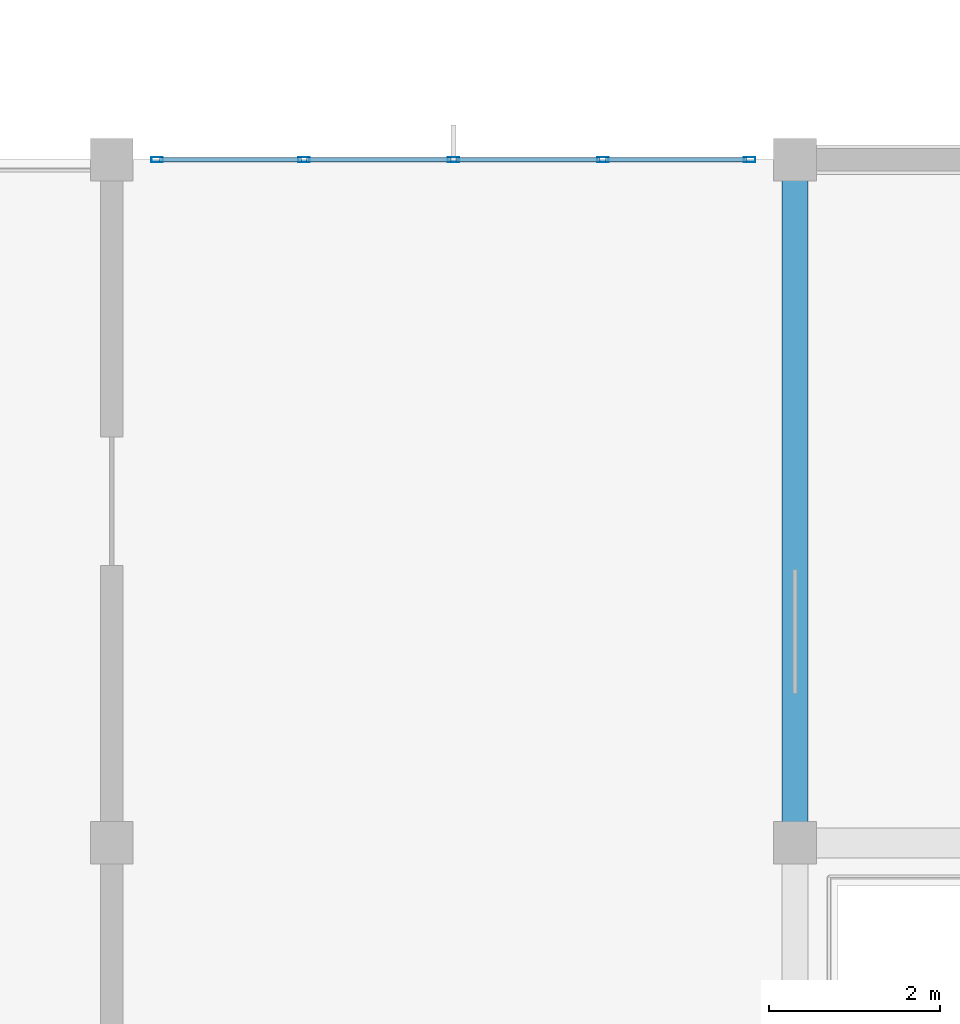
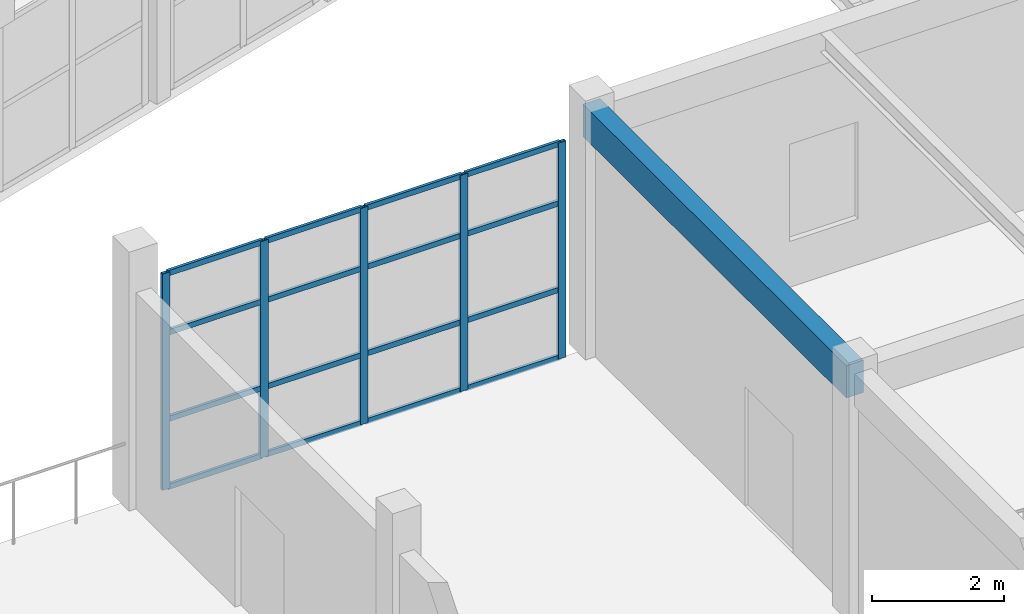
# One storey, part 17 of 248: 21 members, 1 beam, 1 element without a shape of its own.
"""IFC4 building model written with IfcOpenShell, lengths in metres."""

from ifc_helpers import new_model, si_unit, direction, frame, origin, origin_2d, place, context, subcontext, project, spatial, rectangle, hollow_rectangle, extrude, material, layer, layer_set, material_profile, profile_set, type_object, element, aggregate, save


model = new_model("IFC4")

# Units and contexts
model_context = context("Model", 3, precision=1e-05, world=origin(), true_north=direction((0.0, 1.0)))
body_context = subcontext(model_context, "Body", "Model", "MODEL_VIEW")
ifc_project = project(units=[si_unit("LENGTHUNIT", "METRE"), si_unit("AREAUNIT", "SQUARE_METRE"), si_unit("VOLUMEUNIT", "CUBIC_METRE"), si_unit("PLANEANGLEUNIT", "RADIAN"), si_unit("MASSUNIT", "GRAM", prefix="KILO")], contexts=[model_context])

# Site, building, storey
site_placement = place(None, origin())
site = spatial("IfcSite", under=ifc_project, at=site_placement, CompositionType="ELEMENT")
building_placement = place(site_placement, origin())
building = spatial("IfcBuilding", under=site, at=building_placement, Name="Canggui Botanical Conservatory", CompositionType="ELEMENT")
storey_placement = place(building_placement, frame((0.0, 0.0, 5.39990234375)))
storey = spatial("IfcBuildingStorey", under=building, at=storey_placement, Name="L02", CompositionType="ELEMENT", Elevation=5.39990234375)

# Beam
ifc_material_1 = material(Name="Concrete C35", Category="concrete")
ifc_material_profile_1 = material_profile(ifc_material_1, rectangle(XDim=0.300048828125, YDim=0.60009765625, at=origin_2d()), Name="RB 300x600")
ifc_profile_set_1 = profile_set([ifc_material_profile_1], Name="Concrete C35")
beam_type = type_object("IfcBeamType", Name="BM-KL23", PredefinedType="BEAM", material=ifc_profile_set_1)
beam_placement = place(storey_placement, frame((26.0, 26.0, 4.260009765625), z_axis=(0.0, 1.0, 0.0), x_axis=(-1.0, 0.0, 0.0)))
element("IfcBeam", 1, at=beam_placement, inside=storey, type_object=beam_type, Name="Visitor Girder L02 X26-3", PredefinedType="BEAM", context=body_context, shape_type="SweptSolid", body=[
    extrude(rectangle(XDim=0.300048828125, YDim=0.60009765625, at=origin_2d()), origin(), (0.0, 0.0, 1.0), 8.0),
])

# Curtain wall, members
ifc_material_2 = material(Name="Thermally Broken Aluminium", Category="aluminium")
ifc_layer = layer(ifc_material_2, 0.135009765625, Name="Thermally Broken Aluminium", Category="aluminium")
ifc_layer_set = layer_set([ifc_layer], Name="Thermally Broken Aluminium")
curtain_wall_type = type_object("IfcCurtainWallType", Name="CW-STICK-A", PredefinedType="USERDEFINED", material=ifc_layer_set)
curtain_wall_placement = place(storey_placement, origin())
curtain_wall = element("IfcCurtainWall", 2, at=curtain_wall_placement, inside=storey, type_object=curtain_wall_type, Name="Facade Curtain Wall CW-VIS-L02-10", ObjectType="STICK GLAZED WALL", PredefinedType="USERDEFINED")
ifc_material_profile_2 = material_profile(ifc_material_2, hollow_rectangle(XDim=0.06005859375, YDim=0.135009765625, WallThickness=0.00341796875, at=origin_2d()), Name="CWM 60x135x3.5")
ifc_profile_set_2 = profile_set([ifc_material_profile_2], Name="Thermally Broken Aluminium")
member_type_1 = type_object("IfcMemberType", Name="CWM-04", PredefinedType="MULLION", material=ifc_profile_set_2)
member_1_placement = place(storey_placement, frame((18.530029296875, 34.0, 0.0), z_axis=(0.0, 0.0, 1.0), x_axis=(0.0, 1.0, 0.0)))
member_1 = element("IfcMember", 3, at=member_1_placement, type_object=member_type_1, Name="CW-04 mullion 1", PredefinedType="MULLION", context=body_context, shape_type="SweptSolid", body=[
    extrude(hollow_rectangle(XDim=0.06005859375, YDim=0.135009765625, WallThickness=0.00341796875, at=origin_2d()), origin(), (0.0, 0.0, 1.0), 4.010009765625),
])
member_2_placement = place(storey_placement, frame((20.25, 34.0, 0.0), z_axis=(0.0, 0.0, 1.0), x_axis=(0.0, 1.0, 0.0)))
member_2 = element("IfcMember", 4, at=member_2_placement, type_object=member_type_1, Name="CW-04 mullion 2", PredefinedType="MULLION", context=body_context, shape_type="SweptSolid", body=[
    extrude(hollow_rectangle(XDim=0.06005859375, YDim=0.135009765625, WallThickness=0.00341796875, at=origin_2d()), origin(), (0.0, 0.0, 1.0), 4.010009765625),
])
member_3_placement = place(storey_placement, frame((22.0, 34.0, 0.0), z_axis=(0.0, 0.0, 1.0), x_axis=(0.0, 1.0, 0.0)))
member_3 = element("IfcMember", 5, at=member_3_placement, type_object=member_type_1, Name="CW-04 mullion 3", PredefinedType="MULLION", context=body_context, shape_type="SweptSolid", body=[
    extrude(hollow_rectangle(XDim=0.06005859375, YDim=0.135009765625, WallThickness=0.00341796875, at=origin_2d()), origin(), (0.0, 0.0, 1.0), 4.010009765625),
])
member_4_placement = place(storey_placement, frame((23.75, 34.0, 0.0), z_axis=(0.0, 0.0, 1.0), x_axis=(0.0, 1.0, 0.0)))
member_4 = element("IfcMember", 6, at=member_4_placement, type_object=member_type_1, Name="CW-04 mullion 4", PredefinedType="MULLION", context=body_context, shape_type="SweptSolid", body=[
    extrude(hollow_rectangle(XDim=0.06005859375, YDim=0.135009765625, WallThickness=0.00341796875, at=origin_2d()), origin(), (0.0, 0.0, 1.0), 4.010009765625),
])
member_5_placement = place(storey_placement, frame((25.469970703125, 34.0, 0.0), z_axis=(0.0, 0.0, 1.0), x_axis=(0.0, 1.0, 0.0)))
member_5 = element("IfcMember", 7, at=member_5_placement, type_object=member_type_1, Name="CW-04 mullion 5", PredefinedType="MULLION", context=body_context, shape_type="SweptSolid", body=[
    extrude(hollow_rectangle(XDim=0.06005859375, YDim=0.135009765625, WallThickness=0.00341796875, at=origin_2d()), origin(), (0.0, 0.0, 1.0), 4.010009765625),
])
ifc_material_profile_3 = material_profile(ifc_material_2, hollow_rectangle(XDim=0.050048828125, YDim=0.10009765625, WallThickness=0.0029296875, at=origin_2d()), Name="CWT 50x100x3")
ifc_profile_set_3 = profile_set([ifc_material_profile_3], Name="Thermally Broken Aluminium")
member_type_2 = type_object("IfcMemberType", Name="CWT-04", PredefinedType="USERDEFINED", material=ifc_profile_set_3)
member_6_placement = place(storey_placement, frame((18.56005859375, 34.0, 0.025146484375), z_axis=(1.0, 0.0, 0.0), x_axis=(0.0, 1.0, 0.0)))
member_6 = element("IfcMember", 8, at=member_6_placement, type_object=member_type_2, Name="CW-04 transom 1.1", ObjectType="TRANSOM", PredefinedType="USERDEFINED", context=body_context, shape_type="SweptSolid", body=[
    extrude(hollow_rectangle(XDim=0.050048828125, YDim=0.10009765625, WallThickness=0.0029296875, at=origin_2d()), origin(), (0.0, 0.0, 1.0), 1.659912109375),
])
member_7_placement = place(storey_placement, frame((18.56005859375, 34.0, 1.283203125), z_axis=(1.0, 0.0, 0.0), x_axis=(0.0, 1.0, 0.0)))
member_7 = element("IfcMember", 9, at=member_7_placement, type_object=member_type_2, Name="CW-04 transom 1.2", ObjectType="TRANSOM", PredefinedType="USERDEFINED", context=body_context, shape_type="SweptSolid", body=[
    extrude(hollow_rectangle(XDim=0.050048828125, YDim=0.10009765625, WallThickness=0.0029296875, at=origin_2d()), origin(), (0.0, 0.0, 1.0), 1.659912109375),
])
member_8_placement = place(storey_placement, frame((18.56005859375, 34.0, 2.88720703125), z_axis=(1.0, 0.0, 0.0), x_axis=(0.0, 1.0, 0.0)))
member_8 = element("IfcMember", 10, at=member_8_placement, type_object=member_type_2, Name="CW-04 transom 1.3", ObjectType="TRANSOM", PredefinedType="USERDEFINED", context=body_context, shape_type="SweptSolid", body=[
    extrude(hollow_rectangle(XDim=0.050048828125, YDim=0.10009765625, WallThickness=0.0029296875, at=origin_2d()), origin(), (0.0, 0.0, 1.0), 1.659912109375),
])
member_9_placement = place(storey_placement, frame((18.56005859375, 34.0, 3.985107421875), z_axis=(1.0, 0.0, 0.0), x_axis=(0.0, 1.0, 0.0)))
member_9 = element("IfcMember", 11, at=member_9_placement, type_object=member_type_2, Name="CW-04 transom 1.4", ObjectType="TRANSOM", PredefinedType="USERDEFINED", context=body_context, shape_type="SweptSolid", body=[
    extrude(hollow_rectangle(XDim=0.050048828125, YDim=0.10009765625, WallThickness=0.0029296875, at=origin_2d()), origin(), (0.0, 0.0, 1.0), 1.659912109375),
])
member_10_placement = place(storey_placement, frame((20.280029296875, 34.0, 0.025146484375), z_axis=(1.0, 0.0, 0.0), x_axis=(0.0, 1.0, 0.0)))
member_10 = element("IfcMember", 12, at=member_10_placement, type_object=member_type_2, Name="CW-04 transom 2.1", ObjectType="TRANSOM", PredefinedType="USERDEFINED", context=body_context, shape_type="SweptSolid", body=[
    extrude(hollow_rectangle(XDim=0.050048828125, YDim=0.10009765625, WallThickness=0.0029296875, at=origin_2d()), origin(), (0.0, 0.0, 1.0), 1.68994140625),
])
member_11_placement = place(storey_placement, frame((20.280029296875, 34.0, 1.283203125), z_axis=(1.0, 0.0, 0.0), x_axis=(0.0, 1.0, 0.0)))
member_11 = element("IfcMember", 13, at=member_11_placement, type_object=member_type_2, Name="CW-04 transom 2.2", ObjectType="TRANSOM", PredefinedType="USERDEFINED", context=body_context, shape_type="SweptSolid", body=[
    extrude(hollow_rectangle(XDim=0.050048828125, YDim=0.10009765625, WallThickness=0.0029296875, at=origin_2d()), origin(), (0.0, 0.0, 1.0), 1.68994140625),
])
member_12_placement = place(storey_placement, frame((20.280029296875, 34.0, 2.88720703125), z_axis=(1.0, 0.0, 0.0), x_axis=(0.0, 1.0, 0.0)))
member_12 = element("IfcMember", 14, at=member_12_placement, type_object=member_type_2, Name="CW-04 transom 2.3", ObjectType="TRANSOM", PredefinedType="USERDEFINED", context=body_context, shape_type="SweptSolid", body=[
    extrude(hollow_rectangle(XDim=0.050048828125, YDim=0.10009765625, WallThickness=0.0029296875, at=origin_2d()), origin(), (0.0, 0.0, 1.0), 1.68994140625),
])
member_13_placement = place(storey_placement, frame((20.280029296875, 34.0, 3.985107421875), z_axis=(1.0, 0.0, 0.0), x_axis=(0.0, 1.0, 0.0)))
member_13 = element("IfcMember", 15, at=member_13_placement, type_object=member_type_2, Name="CW-04 transom 2.4", ObjectType="TRANSOM", PredefinedType="USERDEFINED", context=body_context, shape_type="SweptSolid", body=[
    extrude(hollow_rectangle(XDim=0.050048828125, YDim=0.10009765625, WallThickness=0.0029296875, at=origin_2d()), origin(), (0.0, 0.0, 1.0), 1.68994140625),
])
member_14_placement = place(storey_placement, frame((22.030029296875, 34.0, 0.025146484375), z_axis=(1.0, 0.0, 0.0), x_axis=(0.0, 1.0, 0.0)))
member_14 = element("IfcMember", 16, at=member_14_placement, type_object=member_type_2, Name="CW-04 transom 3.1", ObjectType="TRANSOM", PredefinedType="USERDEFINED", context=body_context, shape_type="SweptSolid", body=[
    extrude(hollow_rectangle(XDim=0.050048828125, YDim=0.10009765625, WallThickness=0.0029296875, at=origin_2d()), origin(), (0.0, 0.0, 1.0), 1.68994140625),
])
member_15_placement = place(storey_placement, frame((22.030029296875, 34.0, 1.283203125), z_axis=(1.0, 0.0, 0.0), x_axis=(0.0, 1.0, 0.0)))
member_15 = element("IfcMember", 17, at=member_15_placement, type_object=member_type_2, Name="CW-04 transom 3.2", ObjectType="TRANSOM", PredefinedType="USERDEFINED", context=body_context, shape_type="SweptSolid", body=[
    extrude(hollow_rectangle(XDim=0.050048828125, YDim=0.10009765625, WallThickness=0.0029296875, at=origin_2d()), origin(), (0.0, 0.0, 1.0), 1.68994140625),
])
member_16_placement = place(storey_placement, frame((22.030029296875, 34.0, 2.88720703125), z_axis=(1.0, 0.0, 0.0), x_axis=(0.0, 1.0, 0.0)))
member_16 = element("IfcMember", 18, at=member_16_placement, type_object=member_type_2, Name="CW-04 transom 3.3", ObjectType="TRANSOM", PredefinedType="USERDEFINED", context=body_context, shape_type="SweptSolid", body=[
    extrude(hollow_rectangle(XDim=0.050048828125, YDim=0.10009765625, WallThickness=0.0029296875, at=origin_2d()), origin(), (0.0, 0.0, 1.0), 1.68994140625),
])
member_17_placement = place(storey_placement, frame((22.030029296875, 34.0, 3.985107421875), z_axis=(1.0, 0.0, 0.0), x_axis=(0.0, 1.0, 0.0)))
member_17 = element("IfcMember", 19, at=member_17_placement, type_object=member_type_2, Name="CW-04 transom 3.4", ObjectType="TRANSOM", PredefinedType="USERDEFINED", context=body_context, shape_type="SweptSolid", body=[
    extrude(hollow_rectangle(XDim=0.050048828125, YDim=0.10009765625, WallThickness=0.0029296875, at=origin_2d()), origin(), (0.0, 0.0, 1.0), 1.68994140625),
])
member_18_placement = place(storey_placement, frame((23.780029296875, 34.0, 0.025146484375), z_axis=(1.0, 0.0, 0.0), x_axis=(0.0, 1.0, 0.0)))
member_18 = element("IfcMember", 20, at=member_18_placement, type_object=member_type_2, Name="CW-04 transom 4.1", ObjectType="TRANSOM", PredefinedType="USERDEFINED", context=body_context, shape_type="SweptSolid", body=[
    extrude(hollow_rectangle(XDim=0.050048828125, YDim=0.10009765625, WallThickness=0.0029296875, at=origin_2d()), origin(), (0.0, 0.0, 1.0), 1.659912109375),
])
member_19_placement = place(storey_placement, frame((23.780029296875, 34.0, 1.283203125), z_axis=(1.0, 0.0, 0.0), x_axis=(0.0, 1.0, 0.0)))
member_19 = element("IfcMember", 21, at=member_19_placement, type_object=member_type_2, Name="CW-04 transom 4.2", ObjectType="TRANSOM", PredefinedType="USERDEFINED", context=body_context, shape_type="SweptSolid", body=[
    extrude(hollow_rectangle(XDim=0.050048828125, YDim=0.10009765625, WallThickness=0.0029296875, at=origin_2d()), origin(), (0.0, 0.0, 1.0), 1.659912109375),
])
member_20_placement = place(storey_placement, frame((23.780029296875, 34.0, 2.88720703125), z_axis=(1.0, 0.0, 0.0), x_axis=(0.0, 1.0, 0.0)))
member_20 = element("IfcMember", 22, at=member_20_placement, type_object=member_type_2, Name="CW-04 transom 4.3", ObjectType="TRANSOM", PredefinedType="USERDEFINED", context=body_context, shape_type="SweptSolid", body=[
    extrude(hollow_rectangle(XDim=0.050048828125, YDim=0.10009765625, WallThickness=0.0029296875, at=origin_2d()), origin(), (0.0, 0.0, 1.0), 1.659912109375),
])
member_21_placement = place(storey_placement, frame((23.780029296875, 34.0, 3.985107421875), z_axis=(1.0, 0.0, 0.0), x_axis=(0.0, 1.0, 0.0)))
member_21 = element("IfcMember", 23, at=member_21_placement, type_object=member_type_2, Name="CW-04 transom 4.4", ObjectType="TRANSOM", PredefinedType="USERDEFINED", context=body_context, shape_type="SweptSolid", body=[
    extrude(hollow_rectangle(XDim=0.050048828125, YDim=0.10009765625, WallThickness=0.0029296875, at=origin_2d()), origin(), (0.0, 0.0, 1.0), 1.659912109375),
])
aggregate(curtain_wall, [member_1, member_2, member_3, member_4, member_5, member_6, member_7, member_8, member_9, member_10, member_11, member_12, member_13, member_14, member_15, member_16, member_17, member_18, member_19, member_20, member_21])

save(model, "model.ifc")
